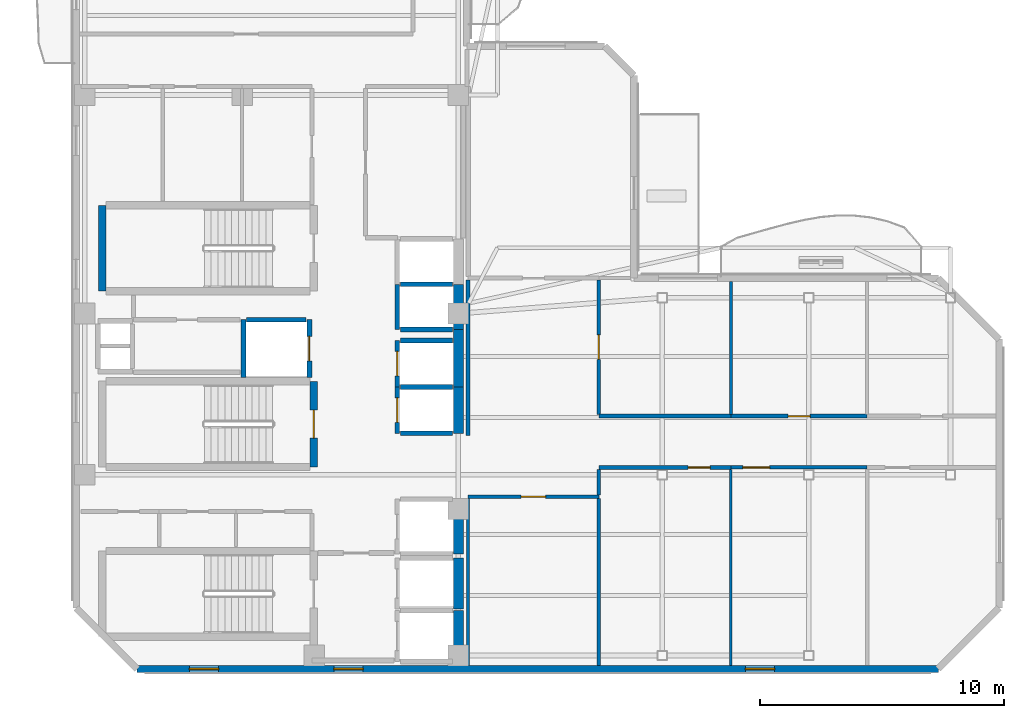
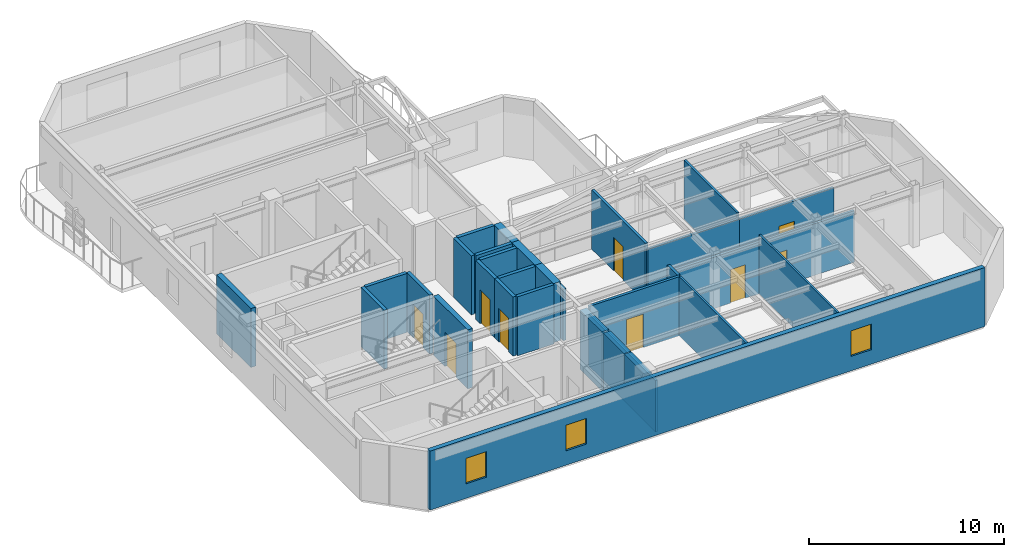
# One storey, part 3 of 8: 32 walls, 9 doors, 3 windows, 12 openings.
"""IFC4 building model written with IfcOpenShell, lengths in metres."""

from ifc_helpers import new_model, si_unit, direction, frame, frame_2d, origin, place, context, subcontext, project, spatial, rectangle, extrude, material, layer, layer_set, type_object, element, fill, save


model = new_model("IFC4")

# Units and contexts
model_context = context("Model", 3, precision=1e-05, world=origin(), true_north=direction((0.0, 1.0)))
body_context = subcontext(model_context, "Body", "Model", "MODEL_VIEW")
ifc_project = project(units=[si_unit("LENGTHUNIT", "METRE"), si_unit("AREAUNIT", "SQUARE_METRE"), si_unit("VOLUMEUNIT", "CUBIC_METRE"), si_unit("PLANEANGLEUNIT", "RADIAN"), si_unit("MASSUNIT", "GRAM", prefix="KILO")], contexts=[model_context])

# Site, building, storey
site_placement = place(None, origin())
site = spatial("IfcSite", under=ifc_project, at=site_placement, CompositionType="ELEMENT")
building_placement = place(site_placement, origin())
building = spatial("IfcBuilding", under=site, at=building_placement, Name="Mawjaban Terraces University", CompositionType="ELEMENT")
storey_placement = place(building_placement, frame((0.0, 0.0, 248.199951171875)))
storey = spatial("IfcBuildingStorey", under=building, at=storey_placement, Name="L60", CompositionType="ELEMENT", Elevation=248.199951171875)

# Walls
ifc_material_1 = material(Name="Concrete C50/60", Category="concrete")
ifc_layer_1 = layer(ifc_material_1, 0.419921875)
ifc_layer_set_1 = layer_set([ifc_layer_1], Name="Concrete C50/60")
wall_type_1 = type_object("IfcWallType", Name="CoreShearWall_420", PredefinedType="SHEAR", material=ifc_layer_set_1)
wall_1_placement = place(storey_placement, frame((37.659912109375, 0.300048828125, 0.0), z_axis=(0.0, 0.0, 1.0), x_axis=(0.0, 1.0, 0.0)))
element("IfcWall", 1, at=wall_1_placement, inside=storey, type_object=wall_type_1, Name="L60 Lift FL-1 Hoistway Wall East", PredefinedType="SHEAR", context=body_context, shape_type="SweptSolid", body=[
    extrude(rectangle(XDim=2.099853515625, YDim=0.419921875, at=frame_2d((1.0498046875, 0.0))), origin(), (0.0, 0.0, 1.0), 3.68994140625),
])
wall_2_placement = place(storey_placement, frame((37.659912109375, 2.449951171875, 0.0), z_axis=(0.0, 0.0, 1.0), x_axis=(0.0, 1.0, 0.0)))
element("IfcWall", 2, at=wall_2_placement, inside=storey, type_object=wall_type_1, Name="L60 Lift FL-2 Hoistway Wall East", PredefinedType="SHEAR", context=body_context, shape_type="SweptSolid", body=[
    extrude(rectangle(XDim=2.10009765625, YDim=0.419921875, at=frame_2d((1.050048828125, 0.0))), origin(), (0.0, 0.0, 1.0), 3.68994140625),
])
wall_3_placement = place(storey_placement, frame((37.659912109375, 4.699951171875, 0.0), z_axis=(0.0, 0.0, 1.0), x_axis=(0.0, 1.0, 0.0)))
element("IfcWall", 3, at=wall_3_placement, inside=storey, type_object=wall_type_1, Name="L60 Lift SL-1 Hoistway Wall East", PredefinedType="SHEAR", context=body_context, shape_type="SweptSolid", body=[
    extrude(rectangle(XDim=2.25, YDim=0.419921875, at=frame_2d((1.125, 0.0))), origin(), (0.0, 0.0, 1.0), 3.68994140625),
])
wall_4_placement = place(storey_placement, frame((37.659912109375, 9.64990234375, 0.0), z_axis=(0.0, 0.0, 1.0), x_axis=(0.0, 1.0, 0.0)))
element("IfcWall", 4, at=wall_4_placement, inside=storey, type_object=wall_type_1, Name="L60 Lift PL-H1 Hoistway Wall East", PredefinedType="SHEAR", context=body_context, shape_type="SweptSolid", body=[
    extrude(rectangle(XDim=1.900146484375, YDim=0.419921875, at=frame_2d((0.9501953125, 0.0))), origin(), (0.0, 0.0, 1.0), 3.68994140625),
])
wall_5_placement = place(storey_placement, frame((37.659912109375, 11.550048828125, 0.0), z_axis=(0.0, 0.0, 1.0), x_axis=(0.0, 1.0, 0.0)))
element("IfcWall", 5, at=wall_5_placement, inside=storey, type_object=wall_type_1, Name="L60 Lift PL-H2 Hoistway Wall East", PredefinedType="SHEAR", context=body_context, shape_type="SweptSolid", body=[
    extrude(rectangle(XDim=2.349853515625, YDim=0.419921875, at=frame_2d((1.1748046875, 0.0))), origin(), (0.0, 0.0, 1.0), 3.68994140625),
])
wall_6_placement = place(storey_placement, frame((37.659912109375, 13.89990234375, 0.0), z_axis=(0.0, 0.0, 1.0), x_axis=(0.0, 1.0, 0.0)))
element("IfcWall", 6, at=wall_6_placement, inside=storey, type_object=wall_type_1, Name="L60 Lift OL-1 Hoistway Wall East", PredefinedType="SHEAR", context=body_context, shape_type="SweptSolid", body=[
    extrude(rectangle(XDim=1.85009765625, YDim=0.419921875, at=frame_2d((0.925048828125, 0.0))), origin(), (0.0, 0.0, 1.0), 3.68994140625),
])

# Wall, opening, door
ifc_material_2 = material(Name="Fire-rated gypsum board on steel stud", Category="steel")
ifc_layer_2 = layer(ifc_material_2, 0.159912109375)
ifc_layer_set_2 = layer_set([ifc_layer_2], Name="Fire-rated gypsum board on steel stud")
wall_type_2 = type_object("IfcWallType", Name="CorridorPartition_160", PredefinedType="PARTITIONING", material=ifc_layer_set_2)
wall_7_placement = place(storey_placement, frame((38.050048828125, 7.050048828125, 0.0), z_axis=(0.0, 0.0, 1.0), x_axis=(1.0, 0.0, 0.0)))
wall_7 = element("IfcWall", 7, at=wall_7_placement, inside=storey, type_object=wall_type_2, Name="L60 Upper Research Hub Concourse Partition 16", PredefinedType="PARTITIONING", context=body_context, shape_type="SweptSolid", body=[
    extrude(rectangle(XDim=5.349853515625, YDim=0.159912109375, at=frame_2d((2.6748046875, 0.0))), origin(), (0.0, 0.0, 1.0), 3.68994140625),
])
opening_1_placement = place(wall_7_placement, frame((2.175048828125, 0.0, 0.0)))
opening_1 = element("IfcOpeningElement", 8, at=opening_1_placement, cuts=wall_7, Name="Opening ID-100", PredefinedType="OPENING", context=body_context, shape_type="SweptSolid", body=[
    extrude(rectangle(XDim=1.0, YDim=2.10009765625, at=frame_2d((0.5, 1.050048828125))), frame((0.0, 0.08984375, 0.0), z_axis=(0.0, -1.0, 0.0), x_axis=(1.0, 0.0, 0.0)), (0.0, 0.0, 1.0), 0.179931640625),
])
ifc_material_3 = material(Name="Powder-coated steel frame and solid acoustic timber leaf", Category="steel")
door_type_1 = type_object("IfcDoorType", Name="ClassroomDoor_1000x2100", OperationType="NOTDEFINED", PredefinedType="DOOR", material=ifc_material_3)
door_1_placement = place(opening_1_placement, origin())
door_1 = element("IfcDoor", 9, at=door_1_placement, inside=storey, type_object=door_type_1, Name="L60 Classroom 1 Door", OperationType="SINGLE_SWING_RIGHT", OverallHeight=2.10009765625, OverallWidth=1.0, PredefinedType="DOOR", context=body_context, shape_type="SweptSolid", body=[
    extrude(rectangle(XDim=1.0, YDim=2.10009765625, at=frame_2d((0.5, 1.050048828125))), frame((0.0, 0.02490234375, 0.0), z_axis=(0.0, -1.0, 0.0), x_axis=(1.0, 0.0, 0.0)), (0.0, 0.0, 1.0), 0.050048828125),
])
fill(opening_1, door_1)

wall_8_placement = place(storey_placement, frame((43.39990234375, 8.25, 0.0), z_axis=(0.0, 0.0, 1.0), x_axis=(1.0, 0.0, 0.0)))
wall_8 = element("IfcWall", 10, at=wall_8_placement, inside=storey, type_object=wall_type_2, Name="L60 Upper East Research Corridor Partition 17", PredefinedType="PARTITIONING", context=body_context, shape_type="SweptSolid", body=[
    extrude(rectangle(XDim=5.41015625, YDim=0.159912109375, at=frame_2d((2.705078125, 0.0))), origin(), (0.0, 0.0, 1.0), 3.220947265625),
])
opening_2_placement = place(wall_8_placement, frame((3.655029296875, 0.0, 0.0)))
opening_2 = element("IfcOpeningElement", 11, at=opening_2_placement, cuts=wall_8, Name="Opening ID-090", PredefinedType="OPENING", context=body_context, shape_type="SweptSolid", body=[
    extrude(rectangle(XDim=0.89990234375, YDim=2.10009765625, at=frame_2d((0.449951171875, 1.050048828125))), frame((0.0, 0.08984375, 0.0), z_axis=(0.0, -1.0, 0.0), x_axis=(1.0, 0.0, 0.0)), (0.0, 0.0, 1.0), 0.179931640625),
])
door_type_2 = type_object("IfcDoorType", Name="OfficeDoor_900x2100", OperationType="NOTDEFINED", PredefinedType="DOOR", material=ifc_material_3)
door_2_placement = place(opening_2_placement, origin())
door_2 = element("IfcDoor", 12, at=door_2_placement, inside=storey, type_object=door_type_2, Name="L60 Seminar Room 2 Door", OperationType="SINGLE_SWING_LEFT", OverallHeight=2.10009765625, OverallWidth=0.89990234375, PredefinedType="DOOR", context=body_context, shape_type="SweptSolid", body=[
    extrude(rectangle(XDim=0.89990234375, YDim=2.10009765625, at=frame_2d((0.449951171875, 1.050048828125))), frame((0.0, 0.02490234375, 0.0), z_axis=(0.0, -1.0, 0.0), x_axis=(1.0, 0.0, 0.0)), (0.0, 0.0, 1.0), 0.050048828125),
])
fill(opening_2, door_2)

# Wall
wall_9_placement = place(storey_placement, frame((48.81005859375, 10.35009765625, 0.0), z_axis=(0.0, 0.0, 1.0), x_axis=(-1.0, 0.0, 0.0)))
element("IfcWall", 13, at=wall_9_placement, inside=storey, type_object=wall_type_2, Name="L60 Upper East Research Corridor Partition 21", PredefinedType="PARTITIONING", context=body_context, shape_type="SweptSolid", body=[
    extrude(rectangle(XDim=5.41015625, YDim=0.159912109375, at=frame_2d((2.705078125, 0.0))), origin(), (0.0, 0.0, 1.0), 3.3720703125),
])

# Wall, opening, door
wall_10_placement = place(storey_placement, frame((54.389892578125, 10.35009765625, 0.0), z_axis=(0.0, 0.0, 1.0), x_axis=(-1.0, 0.0, 0.0)))
wall_10 = element("IfcWall", 14, at=wall_10_placement, inside=storey, type_object=wall_type_2, Name="L60 Upper East Research Corridor Partition 23", PredefinedType="PARTITIONING", context=body_context, shape_type="SweptSolid", body=[
    extrude(rectangle(XDim=5.579833984375, YDim=0.159912109375, at=frame_2d((2.7900390625, 0.0))), origin(), (0.0, 0.0, 1.0), 3.3720703125),
])
opening_3_placement = place(wall_10_placement, frame((2.340087890625, 0.0, 0.0)))
opening_3 = element("IfcOpeningElement", 15, at=opening_3_placement, cuts=wall_10, Name="Opening ID-090", PredefinedType="OPENING", context=body_context, shape_type="SweptSolid", body=[
    extrude(rectangle(XDim=0.89990234375, YDim=2.10009765625, at=frame_2d((0.449951171875, 1.050048828125))), frame((0.0, 0.08984375, 0.0), z_axis=(0.0, -1.0, 0.0), x_axis=(1.0, 0.0, 0.0)), (0.0, 0.0, 1.0), 0.179931640625),
])
door_3_placement = place(opening_3_placement, origin())
door_3 = element("IfcDoor", 16, at=door_3_placement, inside=storey, type_object=door_type_2, Name="L60 Seminar Room 5 Door", OperationType="SINGLE_SWING_RIGHT", OverallHeight=2.10009765625, OverallWidth=0.89990234375, PredefinedType="DOOR", context=body_context, shape_type="SweptSolid", body=[
    extrude(rectangle(XDim=0.89990234375, YDim=2.10009765625, at=frame_2d((0.449951171875, 1.050048828125))), frame((0.0, 0.02490234375, 0.0), z_axis=(0.0, -1.0, 0.0), x_axis=(1.0, 0.0, 0.0)), (0.0, 0.0, 1.0), 0.050048828125),
])
fill(opening_3, door_3)

# Walls
wall_11_placement = place(storey_placement, frame((38.050048828125, 15.925048828125, 0.0), z_axis=(0.0, 0.0, 1.0), x_axis=(0.0, -1.0, 0.0)))
element("IfcWall", 17, at=wall_11_placement, inside=storey, type_object=wall_type_2, Name="L60 Upper Research Hub Concourse Partition 39", PredefinedType="PARTITIONING", context=body_context, shape_type="SweptSolid", body=[
    extrude(rectangle(XDim=6.375, YDim=0.159912109375, at=frame_2d((3.1875, 0.0))), origin(), (0.0, 0.0, 1.0), 3.220947265625),
])
wall_12_placement = place(storey_placement, frame((43.39990234375, 7.125, 0.0), z_axis=(0.0, 0.0, 1.0), x_axis=(0.0, 1.0, 0.0)))
element("IfcWall", 18, at=wall_12_placement, inside=storey, type_object=wall_type_2, Name="L60 Upper Research Hub Concourse Partition 42", PredefinedType="PARTITIONING", context=body_context, shape_type="SweptSolid", body=[
    extrude(rectangle(XDim=1.050048828125, YDim=0.159912109375, at=frame_2d((0.52490234375, 0.0))), origin(), (0.0, 0.0, 1.0), 3.68994140625),
])

# Wall, opening, door
wall_13_placement = place(storey_placement, frame((43.39990234375, 10.425048828125, 0.0), z_axis=(0.0, 0.0, 1.0), x_axis=(0.0, 1.0, 0.0)))
wall_13 = element("IfcWall", 19, at=wall_13_placement, inside=storey, type_object=wall_type_2, Name="L60 Upper Research Hub Concourse Partition 43", PredefinedType="PARTITIONING", context=body_context, shape_type="SweptSolid", body=[
    extrude(rectangle(XDim=5.5, YDim=0.159912109375, at=frame_2d((2.75, 0.0))), origin(), (0.0, 0.0, 1.0), 3.68994140625),
])
opening_4_placement = place(wall_13_placement, frame((2.25, 0.0, 0.0)))
opening_4 = element("IfcOpeningElement", 20, at=opening_4_placement, cuts=wall_13, Name="Opening ID-100", PredefinedType="OPENING", context=body_context, shape_type="SweptSolid", body=[
    extrude(rectangle(XDim=1.0, YDim=2.10009765625, at=frame_2d((0.5, 1.050048828125))), frame((0.0, 0.08984375, 0.0), z_axis=(0.0, -1.0, 0.0), x_axis=(1.0, 0.0, 0.0)), (0.0, 0.0, 1.0), 0.179931640625),
])
door_4_placement = place(opening_4_placement, origin())
door_4 = element("IfcDoor", 21, at=door_4_placement, inside=storey, type_object=door_type_1, Name="L60 Classroom 3 Door", OperationType="SINGLE_SWING_RIGHT", OverallHeight=2.10009765625, OverallWidth=1.0, PredefinedType="DOOR", context=body_context, shape_type="SweptSolid", body=[
    extrude(rectangle(XDim=1.0, YDim=2.10009765625, at=frame_2d((0.5, 1.050048828125))), frame((0.0, 0.02490234375, 0.0), z_axis=(0.0, -1.0, 0.0), x_axis=(1.0, 0.0, 0.0)), (0.0, 0.0, 1.0), 0.050048828125),
])
fill(opening_4, door_4)

# Wall, openings, windows
ifc_material_4 = material(Name="Insulated terracotta rainscreen on concrete backup C40/50", Category="masonry")
ifc_layer_3 = layer(ifc_material_4, 0.27490234375)
ifc_layer_set_3 = layer_set([ifc_layer_3], Name="Insulated terracotta rainscreen on concrete backup C40/50")
wall_type_3 = type_object("IfcWallType", Name="ExtTerracottaWall_275", PredefinedType="SOLIDWALL", material=ifc_layer_set_3)
wall_14_placement = place(storey_placement, frame((24.5, 0.0, 0.0), z_axis=(0.0, 0.0, 1.0), x_axis=(1.0, 0.0, 0.0)))
wall_14 = element("IfcWall", 22, at=wall_14_placement, inside=storey, type_object=wall_type_3, Name="L60 Exterior Terracotta Wall 1", PredefinedType="SOLIDWALL", context=body_context, shape_type="SweptSolid", body=[
    extrude(rectangle(XDim=32.800048828125, YDim=0.27490234375, at=frame_2d((16.39990234375, 0.0))), origin(), (0.0, 0.0, 1.0), 3.68994140625),
])
opening_5_placement = place(wall_14_placement, frame((2.133056640625, 0.0, 0.89990234375)))
opening_5 = element("IfcOpeningElement", 23, at=opening_5_placement, cuts=wall_14, Name="Opening W-01", PredefinedType="OPENING", context=body_context, shape_type="SweptSolid", body=[
    extrude(rectangle(XDim=1.199951171875, YDim=1.60009765625, at=frame_2d((0.60009765625, 0.800048828125))), frame((0.0, 0.1474609375, 0.0), z_axis=(0.0, -1.0, 0.0), x_axis=(1.0, 0.0, 0.0)), (0.0, 0.0, 1.0), 0.294921875),
])
opening_6_placement = place(wall_14_placement, frame((8.050048828125, 0.0, 0.89990234375)))
opening_6 = element("IfcOpeningElement", 24, at=opening_6_placement, cuts=wall_14, Name="Opening W-01", PredefinedType="OPENING", context=body_context, shape_type="SweptSolid", body=[
    extrude(rectangle(XDim=1.199951171875, YDim=1.60009765625, at=frame_2d((0.60009765625, 0.800048828125))), frame((0.0, 0.1474609375, 0.0), z_axis=(0.0, -1.0, 0.0), x_axis=(1.0, 0.0, 0.0)), (0.0, 0.0, 1.0), 0.294921875),
])
opening_7_placement = place(wall_14_placement, frame((24.89990234375, 0.0, 0.89990234375)))
opening_7 = element("IfcOpeningElement", 25, at=opening_7_placement, cuts=wall_14, Name="Opening W-01", PredefinedType="OPENING", context=body_context, shape_type="SweptSolid", body=[
    extrude(rectangle(XDim=1.199951171875, YDim=1.60009765625, at=frame_2d((0.60009765625, 0.800048828125))), frame((0.0, 0.1474609375, 0.0), z_axis=(0.0, -1.0, 0.0), x_axis=(1.0, 0.0, 0.0)), (0.0, 0.0, 1.0), 0.294921875),
])
ifc_material_5 = material(Name="Low-E solar-control double glazing in thermally broken aluminium frame", Category="aluminium")
window_type = type_object("IfcWindowType", Name="Win_1200x1600", PartitioningType="SINGLE_PANEL", PredefinedType="WINDOW", material=ifc_material_5)
window_1_placement = place(opening_5_placement, origin())
window_1 = element("IfcWindow", 26, at=window_1_placement, inside=storey, type_object=window_type, Name="L60 Facade Window 1.1", OverallHeight=1.60009765625, OverallWidth=1.199951171875, PartitioningType="SINGLE_PANEL", PredefinedType="WINDOW", context=body_context, shape_type="SweptSolid", body=[
    extrude(rectangle(XDim=1.199951171875, YDim=1.60009765625, at=frame_2d((0.60009765625, 0.800048828125))), frame((0.0, 0.030029296875, 0.0), z_axis=(0.0, -1.0, 0.0), x_axis=(1.0, 0.0, 0.0)), (0.0, 0.0, 1.0), 0.06005859375),
])
fill(opening_5, window_1)
window_2_placement = place(opening_6_placement, origin())
window_2 = element("IfcWindow", 27, at=window_2_placement, inside=storey, type_object=window_type, Name="L60 Facade Window 1.2", OverallHeight=1.60009765625, OverallWidth=1.199951171875, PartitioningType="SINGLE_PANEL", PredefinedType="WINDOW", context=body_context, shape_type="SweptSolid", body=[
    extrude(rectangle(XDim=1.199951171875, YDim=1.60009765625, at=frame_2d((0.60009765625, 0.800048828125))), frame((0.0, 0.030029296875, 0.0), z_axis=(0.0, -1.0, 0.0), x_axis=(1.0, 0.0, 0.0)), (0.0, 0.0, 1.0), 0.06005859375),
])
fill(opening_6, window_2)
window_3_placement = place(opening_7_placement, origin())
window_3 = element("IfcWindow", 28, at=window_3_placement, inside=storey, type_object=window_type, Name="L60 Facade Window 1.5", OverallHeight=1.60009765625, OverallWidth=1.199951171875, PartitioningType="SINGLE_PANEL", PredefinedType="WINDOW", context=body_context, shape_type="SweptSolid", body=[
    extrude(rectangle(XDim=1.199951171875, YDim=1.60009765625, at=frame_2d((0.60009765625, 0.800048828125))), frame((0.0, 0.030029296875, 0.0), z_axis=(0.0, -1.0, 0.0), x_axis=(1.0, 0.0, 0.0)), (0.0, 0.0, 1.0), 0.06005859375),
])
fill(opening_7, window_3)

# Wall, opening, door
ifc_material_6 = material(Name="Concrete C40/50", Category="concrete")
ifc_layer_4 = layer(ifc_material_6, 0.199951171875)
ifc_layer_set_4 = layer_set([ifc_layer_4], Name="Concrete C40/50")
wall_type_4 = type_object("IfcWallType", Name="FireLobbyWall_200", PredefinedType="SOLIDWALL", material=ifc_layer_set_4)
wall_15_placement = place(storey_placement, frame((35.14990234375, 11.550048828125, 0.0), z_axis=(0.0, 0.0, 1.0), x_axis=(0.0, -1.0, 0.0)))
wall_15 = element("IfcWall", 29, at=wall_15_placement, inside=storey, type_object=wall_type_4, Name="L60 Lift PL-H1 Hoistway Wall West", PredefinedType="SOLIDWALL", context=body_context, shape_type="SweptSolid", body=[
    extrude(rectangle(XDim=1.900146484375, YDim=0.199951171875, at=frame_2d((0.9501953125, 0.0))), origin(), (0.0, 0.0, 1.0), 3.68994140625),
])
opening_8_placement = place(wall_15_placement, frame((0.449951171875, 0.0, 0.0)))
opening_8 = element("IfcOpeningElement", 30, at=opening_8_placement, cuts=wall_15, Name="Opening LD-PL-H1", PredefinedType="OPENING", context=body_context, shape_type="SweptSolid", body=[
    extrude(rectangle(XDim=1.0, YDim=2.10009765625, at=frame_2d((0.5, 1.050048828125))), frame((0.0, 0.10986328125, 0.0), z_axis=(0.0, -1.0, 0.0), x_axis=(1.0, 0.0, 0.0)), (0.0, 0.0, 1.0), 0.219970703125),
])
ifc_material_7 = material(Name="Powder-coated steel frame and fire-rated steel-faced leaf", Category="steel")
door_type_3 = type_object("IfcDoorType", Name="LiftLandingSliding_1000x2100", OperationType="NOTDEFINED", PredefinedType="DOOR", material=ifc_material_7)
door_5_placement = place(opening_8_placement, origin())
door_5 = element("IfcDoor", 31, at=door_5_placement, inside=storey, type_object=door_type_3, Name="L60 Lift PL-H1 Sliding Landing Door", OperationType="DOUBLE_DOOR_SLIDING", OverallHeight=2.10009765625, OverallWidth=1.0, PredefinedType="DOOR", context=body_context, shape_type="SweptSolid", body=[
    extrude(rectangle(XDim=1.0, YDim=2.10009765625, at=frame_2d((0.5, 1.050048828125))), frame((0.0, 0.02490234375, 0.0), z_axis=(0.0, -1.0, 0.0), x_axis=(1.0, 0.0, 0.0)), (0.0, 0.0, 1.0), 0.050048828125),
])
fill(opening_8, door_5)

# Walls
for number, where, z_axis, x_axis, name in (
    (32, (35.280029296875, 9.64990234375, 0.0), (0.0, 0.0, 1.0), (1.0, 0.0, 0.0), "L60 Lift PL-H1 Hoistway Wall South"),
    (33, (37.419921875, 11.550048828125, 0.0), (0.0, 0.0, 1.0), (-1.0, 0.0, 0.0), "L60 Lift PL-H1 Hoistway Wall North"),
):
    element("IfcWall", number, at=place(storey_placement, frame(where, z_axis=z_axis, x_axis=x_axis)), inside=storey, type_object=wall_type_4, Name=name, PredefinedType="SOLIDWALL", context=body_context, shape_type="SweptSolid", body=[
        extrude(rectangle(XDim=2.139892578125, YDim=0.199951171875, at=frame_2d((1.06982421875, 0.0))), origin(), (0.0, 0.0, 1.0), 3.68994140625),
    ])

# Wall, opening, door
wall_16_placement = place(storey_placement, frame((35.14990234375, 13.449951171875, 0.0), z_axis=(0.0, 0.0, 1.0), x_axis=(0.0, -1.0, 0.0)))
wall_16 = element("IfcWall", 34, at=wall_16_placement, inside=storey, type_object=wall_type_4, Name="L60 Lift PL-H2 Hoistway Wall West", PredefinedType="SOLIDWALL", context=body_context, shape_type="SweptSolid", body=[
    extrude(rectangle(XDim=1.89990234375, YDim=0.199951171875, at=frame_2d((0.949951171875, 0.0))), origin(), (0.0, 0.0, 1.0), 3.68994140625),
])
opening_9_placement = place(wall_16_placement, frame((0.449951171875, 0.0, 0.0)))
opening_9 = element("IfcOpeningElement", 35, at=opening_9_placement, cuts=wall_16, Name="Opening LD-PL-H2", PredefinedType="OPENING", context=body_context, shape_type="SweptSolid", body=[
    extrude(rectangle(XDim=1.0, YDim=2.10009765625, at=frame_2d((0.5, 1.050048828125))), frame((0.0, 0.10986328125, 0.0), z_axis=(0.0, -1.0, 0.0), x_axis=(1.0, 0.0, 0.0)), (0.0, 0.0, 1.0), 0.219970703125),
])
door_6_placement = place(opening_9_placement, origin())
door_6 = element("IfcDoor", 36, at=door_6_placement, inside=storey, type_object=door_type_3, Name="L60 Lift PL-H2 Sliding Landing Door", OperationType="DOUBLE_DOOR_SLIDING", OverallHeight=2.10009765625, OverallWidth=1.0, PredefinedType="DOOR", context=body_context, shape_type="SweptSolid", body=[
    extrude(rectangle(XDim=1.0, YDim=2.10009765625, at=frame_2d((0.5, 1.050048828125))), frame((0.0, 0.02490234375, 0.0), z_axis=(0.0, -1.0, 0.0), x_axis=(1.0, 0.0, 0.0)), (0.0, 0.0, 1.0), 0.050048828125),
])
fill(opening_9, door_6)

# Walls
wall_17_placement = place(storey_placement, frame((37.419921875, 13.449951171875, 0.0), z_axis=(0.0, 0.0, 1.0), x_axis=(-1.0, 0.0, 0.0)))
element("IfcWall", 37, at=wall_17_placement, inside=storey, type_object=wall_type_4, Name="L60 Lift PL-H2 Hoistway Wall North", PredefinedType="SOLIDWALL", context=body_context, shape_type="SweptSolid", body=[
    extrude(rectangle(XDim=2.139892578125, YDim=0.199951171875, at=frame_2d((1.06982421875, 0.0))), origin(), (0.0, 0.0, 1.0), 3.68994140625),
])
wall_18_placement = place(storey_placement, frame((28.85009765625, 14.300048828125, 0.0), z_axis=(0.0, 0.0, 1.0), x_axis=(0.0, -1.0, 0.0)))
element("IfcWall", 38, at=wall_18_placement, inside=storey, type_object=wall_type_4, Name="L60 Lift PL-H3 Hoistway Wall West", PredefinedType="SOLIDWALL", context=body_context, shape_type="SweptSolid", body=[
    extrude(rectangle(XDim=2.3701171875, YDim=0.199951171875, at=frame_2d((1.18505859375, 0.0))), origin(), (0.0, 0.0, 1.0), 3.68994140625),
])

# Wall, opening, door
wall_19_placement = place(storey_placement, frame((31.550048828125, 11.929931640625, 0.0), z_axis=(0.0, 0.0, 1.0), x_axis=(0.0, 1.0, 0.0)))
wall_19 = element("IfcWall", 39, at=wall_19_placement, inside=storey, type_object=wall_type_4, Name="L60 Lift PL-H3 Hoistway Wall East", PredefinedType="SOLIDWALL", context=body_context, shape_type="SweptSolid", body=[
    extrude(rectangle(XDim=2.3701171875, YDim=0.199951171875, at=frame_2d((1.18505859375, 0.0))), origin(), (0.0, 0.0, 1.0), 3.68994140625),
])
opening_10_placement = place(wall_19_placement, frame((0.68505859375, 0.0, 0.0)))
opening_10 = element("IfcOpeningElement", 40, at=opening_10_placement, cuts=wall_19, Name="Opening LD-PL-H3", PredefinedType="OPENING", context=body_context, shape_type="SweptSolid", body=[
    extrude(rectangle(XDim=1.0, YDim=2.10009765625, at=frame_2d((0.5, 1.050048828125))), frame((0.0, 0.10986328125, 0.0), z_axis=(0.0, -1.0, 0.0), x_axis=(1.0, 0.0, 0.0)), (0.0, 0.0, 1.0), 0.219970703125),
])
door_7_placement = place(opening_10_placement, origin())
door_7 = element("IfcDoor", 41, at=door_7_placement, inside=storey, type_object=door_type_3, Name="L60 Lift PL-H3 Sliding Landing Door", OperationType="DOUBLE_DOOR_SLIDING", OverallHeight=2.10009765625, OverallWidth=1.0, PredefinedType="DOOR", context=body_context, shape_type="SweptSolid", body=[
    extrude(rectangle(XDim=1.0, YDim=2.10009765625, at=frame_2d((0.5, 1.050048828125))), frame((0.0, 0.02490234375, 0.0), z_axis=(0.0, -1.0, 0.0), x_axis=(1.0, 0.0, 0.0)), (0.0, 0.0, 1.0), 0.050048828125),
])
fill(opening_10, door_7)

# Walls
wall_20_placement = place(storey_placement, frame((31.419921875, 14.300048828125, 0.0), z_axis=(0.0, 0.0, 1.0), x_axis=(-1.0, 0.0, 0.0)))
element("IfcWall", 42, at=wall_20_placement, inside=storey, type_object=wall_type_4, Name="L60 Lift PL-H3 Hoistway Wall North", PredefinedType="SOLIDWALL", context=body_context, shape_type="SweptSolid", body=[
    extrude(rectangle(XDim=2.43994140625, YDim=0.199951171875, at=frame_2d((1.219970703125, 0.0))), origin(), (0.0, 0.0, 1.0), 3.68994140625),
])
wall_21_placement = place(storey_placement, frame((35.14990234375, 15.75, 0.0), z_axis=(0.0, 0.0, 1.0), x_axis=(0.0, -1.0, 0.0)))
element("IfcWall", 43, at=wall_21_placement, inside=storey, type_object=wall_type_4, Name="L60 Lift OL-1 Hoistway Wall West", PredefinedType="SOLIDWALL", context=body_context, shape_type="SweptSolid", body=[
    extrude(rectangle(XDim=1.85009765625, YDim=0.199951171875, at=frame_2d((0.925048828125, 0.0))), origin(), (0.0, 0.0, 1.0), 3.68994140625),
])
for number, where, z_axis, x_axis, name in (
    (44, (35.280029296875, 13.89990234375, 0.0), (0.0, 0.0, 1.0), (1.0, 0.0, 0.0), "L60 Lift OL-1 Hoistway Wall South"),
    (45, (37.419921875, 15.75, 0.0), (0.0, 0.0, 1.0), (-1.0, 0.0, 0.0), "L60 Lift OL-1 Hoistway Wall North"),
):
    element("IfcWall", number, at=place(storey_placement, frame(where, z_axis=z_axis, x_axis=x_axis)), inside=storey, type_object=wall_type_4, Name=name, PredefinedType="SOLIDWALL", context=body_context, shape_type="SweptSolid", body=[
        extrude(rectangle(XDim=2.139892578125, YDim=0.199951171875, at=frame_2d((1.06982421875, 0.0))), origin(), (0.0, 0.0, 1.0), 3.68994140625),
    ])

# Wall, opening, door
ifc_material_8 = material(Name="Moisture-resistant gypsum board on steel stud", Category="steel")
ifc_layer_5 = layer(ifc_material_8, 0.14501953125)
ifc_layer_set_5 = layer_set([ifc_layer_5], Name="Moisture-resistant gypsum board on steel stud")
wall_type_5 = type_object("IfcWallType", Name="LabPartition_145", PredefinedType="PARTITIONING", material=ifc_layer_set_5)
wall_22_placement = place(storey_placement, frame((48.81005859375, 8.25, 0.0), z_axis=(0.0, 0.0, 1.0), x_axis=(1.0, 0.0, 0.0)))
wall_22 = element("IfcWall", 46, at=wall_22_placement, inside=storey, type_object=wall_type_5, Name="L60 Upper East Research Corridor Partition 20", PredefinedType="PARTITIONING", context=body_context, shape_type="SweptSolid", body=[
    extrude(rectangle(XDim=5.579833984375, YDim=0.14501953125, at=frame_2d((2.7900390625, 0.0))), origin(), (0.0, 0.0, 1.0), 3.220947265625),
])
opening_11_placement = place(wall_22_placement, frame((0.489990234375, 0.0, 0.0)))
opening_11 = element("IfcOpeningElement", 47, at=opening_11_placement, cuts=wall_22, Name="Opening ID-110", PredefinedType="OPENING", context=body_context, shape_type="SweptSolid", body=[
    extrude(rectangle(XDim=1.10009765625, YDim=2.14990234375, at=frame_2d((0.550048828125, 1.074951171875))), frame((0.0, 0.08251953125, 0.0), z_axis=(0.0, -1.0, 0.0), x_axis=(1.0, 0.0, 0.0)), (0.0, 0.0, 1.0), 0.1650390625),
])
door_type_4 = type_object("IfcDoorType", Name="LabDoor_1100x2150", OperationType="NOTDEFINED", PredefinedType="DOOR", material=ifc_material_3)
door_8_placement = place(opening_11_placement, origin())
door_8 = element("IfcDoor", 48, at=door_8_placement, inside=storey, type_object=door_type_4, Name="L60 Teaching Laboratory 4 Door", OperationType="SINGLE_SWING_LEFT", OverallHeight=2.14990234375, OverallWidth=1.10009765625, PredefinedType="DOOR", context=body_context, shape_type="SweptSolid", body=[
    extrude(rectangle(XDim=1.10009765625, YDim=2.14990234375, at=frame_2d((0.550048828125, 1.074951171875))), frame((0.0, 0.02490234375, 0.0), z_axis=(0.0, -1.0, 0.0), x_axis=(1.0, 0.0, 0.0)), (0.0, 0.0, 1.0), 0.050048828125),
])
fill(opening_11, door_8)

# Walls
ifc_material_9 = material(Name="Gypsum plasterboard on steel stud", Category="steel")
ifc_layer_6 = layer(ifc_material_9, 0.125)
ifc_layer_set_6 = layer_set([ifc_layer_6], Name="Gypsum plasterboard on steel stud")
wall_type_6 = type_object("IfcWallType", Name="OfficePartition_125", PredefinedType="PARTITIONING", material=ifc_layer_set_6)
wall_23_placement = place(storey_placement, frame((38.050048828125, 6.97509765625, 0.0), z_axis=(0.0, 0.0, 1.0), x_axis=(0.0, -1.0, 0.0)))
element("IfcWall", 49, at=wall_23_placement, inside=storey, type_object=wall_type_6, Name="L60 Classroom 1 Partition 38", PredefinedType="PARTITIONING", context=body_context, shape_type="SweptSolid", body=[
    extrude(rectangle(XDim=6.842041015625, YDim=0.125, at=frame_2d((3.4208984375, 0.0))), origin(), (0.0, 0.0, 1.0), 3.220947265625),
])
wall_24_placement = place(storey_placement, frame((43.39990234375, 0.133056640625, 0.0), z_axis=(0.0, 0.0, 1.0), x_axis=(0.0, 1.0, 0.0)))
element("IfcWall", 50, at=wall_24_placement, inside=storey, type_object=wall_type_6, Name="L60 Classroom 1 Partition 41", PredefinedType="PARTITIONING", context=body_context, shape_type="SweptSolid", body=[
    extrude(rectangle(XDim=6.842041015625, YDim=0.125, at=frame_2d((3.4208984375, 0.0))), origin(), (0.0, 0.0, 1.0), 3.68994140625),
])
wall_25_placement = place(storey_placement, frame((48.81005859375, 10.425048828125, 0.0), z_axis=(0.0, 0.0, 1.0), x_axis=(0.0, 1.0, 0.0)))
element("IfcWall", 51, at=wall_25_placement, inside=storey, type_object=wall_type_6, Name="L60 Classroom 3 Partition 45", PredefinedType="PARTITIONING", context=body_context, shape_type="SweptSolid", body=[
    extrude(rectangle(XDim=5.44189453125, YDim=0.125, at=frame_2d((2.720947265625, 0.0))), origin(), (0.0, 0.0, 1.0), 3.68994140625),
])
ifc_material_10 = material(Name="Acoustic operable panel partition", Category="masonry")
ifc_layer_7 = layer(ifc_material_10, 0.110107421875)
ifc_layer_set_7 = layer_set([ifc_layer_7], Name="Acoustic operable panel partition")
wall_type_7 = type_object("IfcWallType", Name="OperableSeminarWall_110", PredefinedType="MOVABLE", material=ifc_layer_set_7)
wall_26_placement = place(storey_placement, frame((48.81005859375, 0.133056640625, 0.0), z_axis=(0.0, 0.0, 1.0), x_axis=(0.0, 1.0, 0.0)))
element("IfcWall", 52, at=wall_26_placement, inside=storey, type_object=wall_type_7, Name="L60 Seminar Room 2 Partition 44", PredefinedType="MOVABLE", context=body_context, shape_type="SweptSolid", body=[
    extrude(rectangle(XDim=8.0419921875, YDim=0.110107421875, at=frame_2d((4.02099609375, 0.0))), origin(), (0.0, 0.0, 1.0), 3.68994140625),
])
ifc_material_11 = material(Name="Concrete C60/75", Category="concrete")
ifc_layer_8 = layer(ifc_material_11, 0.300048828125)
ifc_layer_set_8 = layer_set([ifc_layer_8], Name="Concrete C60/75")
wall_type_8 = type_object("IfcWallType", Name="StairShaftWall_300", PredefinedType="SHEAR", material=ifc_layer_set_8)
wall_27_placement = place(storey_placement, frame((23.070068359375, 18.97998046875, 0.0), z_axis=(0.0, 0.0, 1.0), x_axis=(0.0, -1.0, 0.0)))
element("IfcWall", 53, at=wall_27_placement, inside=storey, type_object=wall_type_8, Name="L60 ST-2 Stair Shaft Wall 2", PredefinedType="SHEAR", context=body_context, shape_type="SweptSolid", body=[
    extrude(rectangle(XDim=3.510009765625, YDim=0.300048828125, at=frame_2d((1.7548828125, 0.0))), origin(), (0.0, 0.0, 1.0), 3.68994140625),
])

# Wall, opening, door
wall_28_placement = place(storey_placement, frame((31.72998046875, 8.27001953125, 0.0), z_axis=(0.0, 0.0, 1.0), x_axis=(0.0, 1.0, 0.0)))
wall_28 = element("IfcWall", 54, at=wall_28_placement, inside=storey, type_object=wall_type_8, Name="L60 ST-3 Stair Shaft Wall 4", PredefinedType="SHEAR", context=body_context, shape_type="SweptSolid", body=[
    extrude(rectangle(XDim=3.510009765625, YDim=0.300048828125, at=frame_2d((1.7548828125, 0.0))), origin(), (0.0, 0.0, 1.0), 3.68994140625),
])
opening_12_placement = place(wall_28_placement, frame((1.179931640625, 0.0, 0.0)))
opening_12 = element("IfcOpeningElement", 55, at=opening_12_placement, cuts=wall_28, Name="Opening FD-115", PredefinedType="OPENING", context=body_context, shape_type="SweptSolid", body=[
    extrude(rectangle(XDim=1.14990234375, YDim=2.14990234375, at=frame_2d((0.574951171875, 1.074951171875))), frame((0.0, 0.159912109375, 0.0), z_axis=(0.0, -1.0, 0.0), x_axis=(1.0, 0.0, 0.0)), (0.0, 0.0, 1.0), 0.320068359375),
])
door_type_5 = type_object("IfcDoorType", Name="FireStairDoor_1150x2150", OperationType="NOTDEFINED", PredefinedType="DOOR", material=ifc_material_7)
door_9_placement = place(opening_12_placement, origin())
door_9 = element("IfcDoor", 56, at=door_9_placement, inside=storey, type_object=door_type_5, Name="L60 ST-3 Pressurised Stair Fire Door", OperationType="SINGLE_SWING_RIGHT", OverallHeight=2.14990234375, OverallWidth=1.14990234375, PredefinedType="DOOR", context=body_context, shape_type="SweptSolid", body=[
    extrude(rectangle(XDim=1.14990234375, YDim=2.14990234375, at=frame_2d((0.574951171875, 1.074951171875))), frame((0.0, 0.02490234375, 0.0), z_axis=(0.0, -1.0, 0.0), x_axis=(1.0, 0.0, 0.0)), (0.0, 0.0, 1.0), 0.050048828125),
])
fill(opening_12, door_9)

save(model, "model.ifc")
